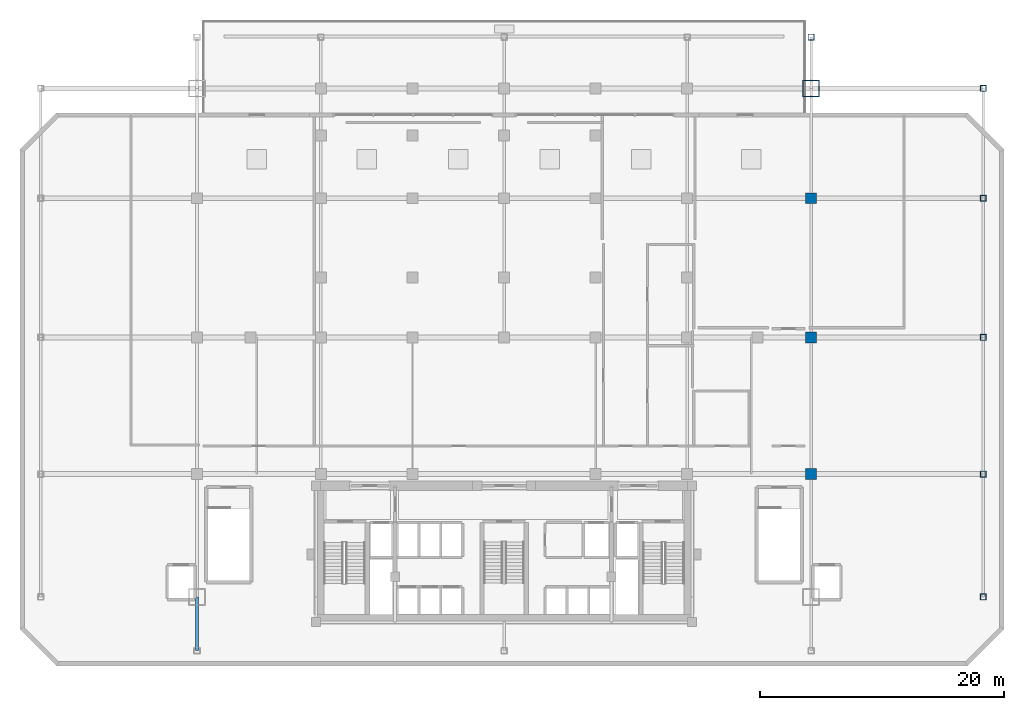
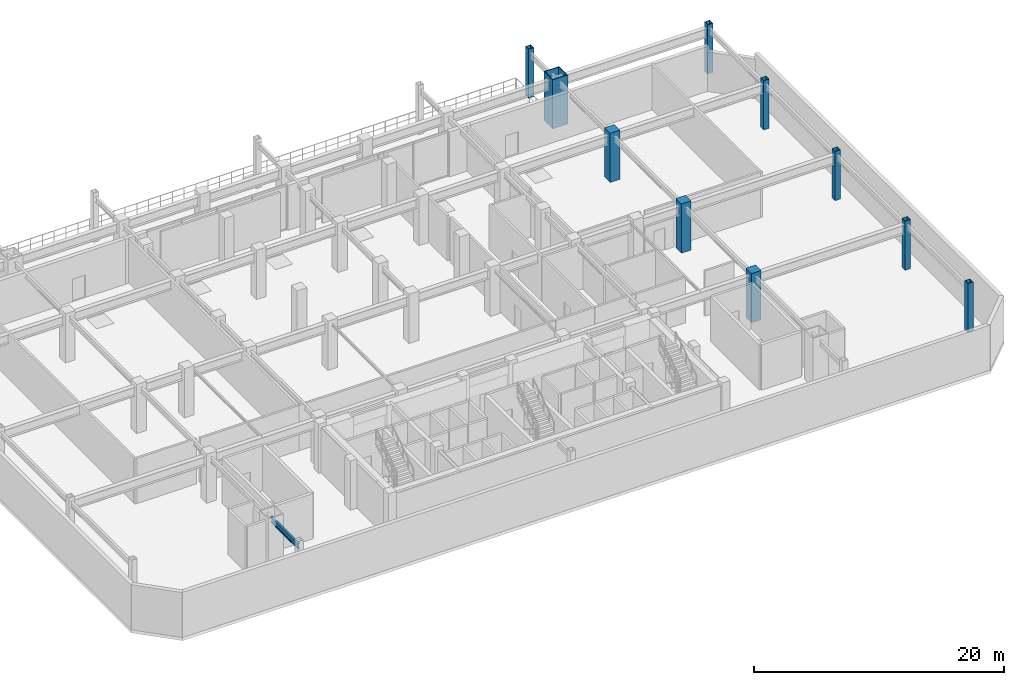
# One storey, part 2 of 15: 10 columns, 1 beam.
"""IFC4 building model written with IfcOpenShell, lengths in metres."""

from ifc_helpers import new_model, si_unit, direction, frame, origin, origin_2d, place, context, subcontext, project, spatial, rectangle, hollow_rectangle, i_section, extrude, material, material_profile, profile_set, type_object, element, save


model = new_model("IFC4")

# Units and contexts
model_context = context("Model", 3, precision=1e-05, world=origin(), true_north=direction((0.0, 1.0)))
body_context = subcontext(model_context, "Body", "Model", "MODEL_VIEW")
ifc_project = project(units=[si_unit("LENGTHUNIT", "METRE"), si_unit("AREAUNIT", "SQUARE_METRE"), si_unit("VOLUMEUNIT", "CUBIC_METRE"), si_unit("PLANEANGLEUNIT", "RADIAN"), si_unit("MASSUNIT", "GRAM", prefix="KILO")], contexts=[model_context])

# Site, building, storey
site_placement = place(None, origin())
site = spatial("IfcSite", under=ifc_project, at=site_placement, CompositionType="ELEMENT")
building_placement = place(site_placement, origin())
building = spatial("IfcBuilding", under=site, at=building_placement, Name="Ventersveld Concourse Tower", CompositionType="ELEMENT")
storey_placement = place(building_placement, frame((0.0, 0.0, 19.800048828125)))
storey = spatial("IfcBuildingStorey", under=building, at=storey_placement, Name="L04", CompositionType="ELEMENT", Elevation=19.800048828125)

# Columns
ifc_material_1 = material(Name="Structural steel S355ML", Category="steel")
ifc_material_profile_1 = material_profile(ifc_material_1, hollow_rectangle(XDim=0.5, YDim=0.5, WallThickness=0.031982421875, at=origin_2d()), Name="BOX 500x500x32")
ifc_profile_set_1 = profile_set([ifc_material_profile_1], Name="Structural steel S355ML")
column_type_1 = type_object("IfcColumnType", Name="COL-BOX500", PredefinedType="COLUMN", material=ifc_profile_set_1)
for number, where, z_axis, x_axis, name in (
    (1, (68.0, 2.35009765625, 0.0), (0.0, 0.0, 1.0), (1.0, 0.0, 0.0), "L04 Podium Perimeter Column 06"),
    (2, (68.0, 12.39990234375, 0.0), (0.0, 0.0, 1.0), (1.0, 0.0, 0.0), "L04 Podium Perimeter Column 07"),
    (3, (68.0, 23.60009765625, 0.0), (0.0, 0.0, 1.0), (1.0, 0.0, 0.0), "L04 Podium Perimeter Column 08"),
    (4, (68.0, 35.0, 0.0), (0.0, 0.0, 1.0), (1.0, 0.0, 0.0), "L04 Podium Perimeter Column 09"),
    (5, (68.0, 44.0, 0.0), (0.0, 0.0, 1.0), (1.0, 0.0, 0.0), "L04 Podium Perimeter Column 10"),
    (6, (53.89990234375, 48.199951171875, 0.0), (0.0, 0.0, 1.0), (1.0, 0.0, 0.0), "L04 Podium Perimeter Column 15"),
):
    element("IfcColumn", number, at=place(storey_placement, frame(where, z_axis=z_axis, x_axis=x_axis)), inside=storey, type_object=column_type_1, Name=name, PredefinedType="COLUMN", context=body_context, shape_type="SweptSolid", body=[
        extrude(hollow_rectangle(XDim=0.5, YDim=0.5, WallThickness=0.031982421875, at=origin_2d()), origin(), (0.0, 0.0, 1.0), 4.800048828125),
    ])
ifc_material_2 = material(Name="Concrete C60/75", Category="concrete")
ifc_material_profile_2 = material_profile(ifc_material_2, rectangle(XDim=0.89990234375, YDim=0.89990234375, at=origin_2d()), Name="RC 900x900")
ifc_profile_set_2 = profile_set([ifc_material_profile_2], Name="Concrete C60/75")
column_type_2 = type_object("IfcColumnType", Name="COL-RC900", PredefinedType="COLUMN", material=ifc_profile_set_2)
for number, where, z_axis, x_axis, name in (
    (7, (53.89990234375, 12.39990234375, 0.0), (0.0, 0.0, 1.0), (1.0, 0.0, 0.0), "L04 Station Grid Column G8B-C"),
    (8, (53.89990234375, 23.60009765625, 0.0), (0.0, 0.0, 1.0), (1.0, 0.0, 0.0), "L04 Station Grid Column G8B-D"),
    (9, (53.89990234375, 35.0, 0.0), (0.0, 0.0, 1.0), (1.0, 0.0, 0.0), "L04 Station Grid Column G8B-E"),
):
    element("IfcColumn", number, at=place(storey_placement, frame(where, z_axis=z_axis, x_axis=x_axis)), inside=storey, type_object=column_type_2, Name=name, PredefinedType="COLUMN", context=body_context, shape_type="SweptSolid", body=[
        extrude(rectangle(XDim=0.89990234375, YDim=0.89990234375, at=origin_2d()), origin(), (0.0, 0.0, 1.0), 4.800048828125),
    ])
ifc_material_3 = material(Name="Structural steel S460ML", Category="steel")
ifc_material_profile_3 = material_profile(ifc_material_3, hollow_rectangle(XDim=1.39990234375, YDim=1.39990234375, WallThickness=0.080078125, at=origin_2d()), Name="BOX 1400x1400x80")
ifc_profile_set_3 = profile_set([ifc_material_profile_3], Name="Structural steel S460ML")
column_type_3 = type_object("IfcColumnType", Name="MC-1400", PredefinedType="USERDEFINED", material=ifc_profile_set_3)
column_placement = place(storey_placement, frame((53.89990234375, 44.0, 0.0), z_axis=(0.0, 0.0, 1.0), x_axis=(1.0, 0.0, 0.0)))
element("IfcColumn", 10, at=column_placement, inside=storey, type_object=column_type_3, Name="L04 Corner Mega-Column MC-NE", ObjectType="MEGA_COLUMN", PredefinedType="USERDEFINED", context=body_context, shape_type="SweptSolid", body=[
    extrude(hollow_rectangle(XDim=1.39990234375, YDim=1.39990234375, WallThickness=0.080078125, at=origin_2d()), origin(), (0.0, 0.0, 1.0), 4.800048828125),
])

# Beam
ifc_material_4 = material(Name="Structural steel S355J2", Category="steel")
ifc_material_profile_4 = material_profile(ifc_material_4, i_section(OverallWidth=0.209228515625, OverallDepth=0.533203125, WebThickness=0.010009765625, FlangeThickness=0.015625, FilletRadius=0.0126953125, at=origin_2d()), Name="UB 533x210x92")
ifc_profile_set_4 = profile_set([ifc_material_profile_4], Name="Structural steel S355J2")
beam_type = type_object("IfcBeamType", Name="GRD-UB533", PredefinedType="T_BEAM", material=ifc_profile_set_4)
beam_placement = place(storey_placement, frame((3.60009765625, -2.050048828125, 4.133544921875), z_axis=(0.0, 1.0, 0.0), x_axis=(-1.0, 0.0, 0.0)))
element("IfcBeam", 11, at=beam_placement, inside=storey, type_object=beam_type, Name="L04 Podium N-S Girder X=3.60m", PredefinedType="T_BEAM", context=body_context, shape_type="SweptSolid", body=[
    extrude(i_section(OverallWidth=0.209228515625, OverallDepth=0.533203125, WebThickness=0.010009765625, FlangeThickness=0.015625, FilletRadius=0.0126953125, at=origin_2d()), origin(), (0.0, 0.0, 1.0), 4.400146484375),
])

save(model, "model.ifc")
